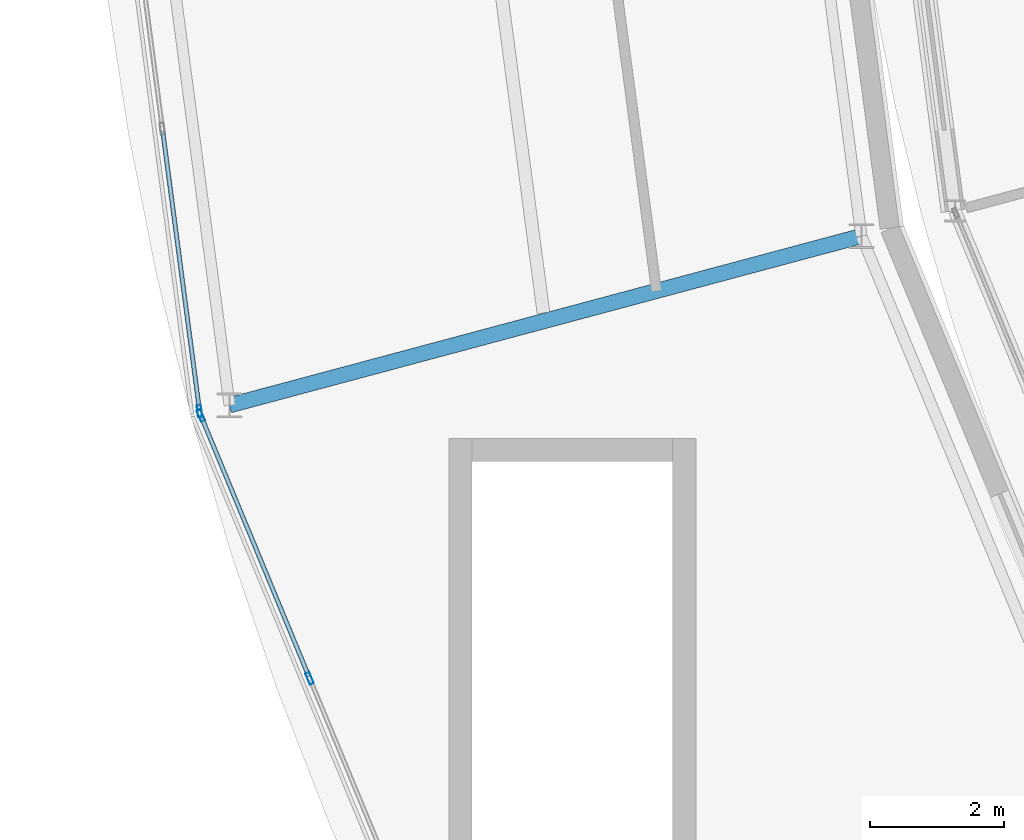
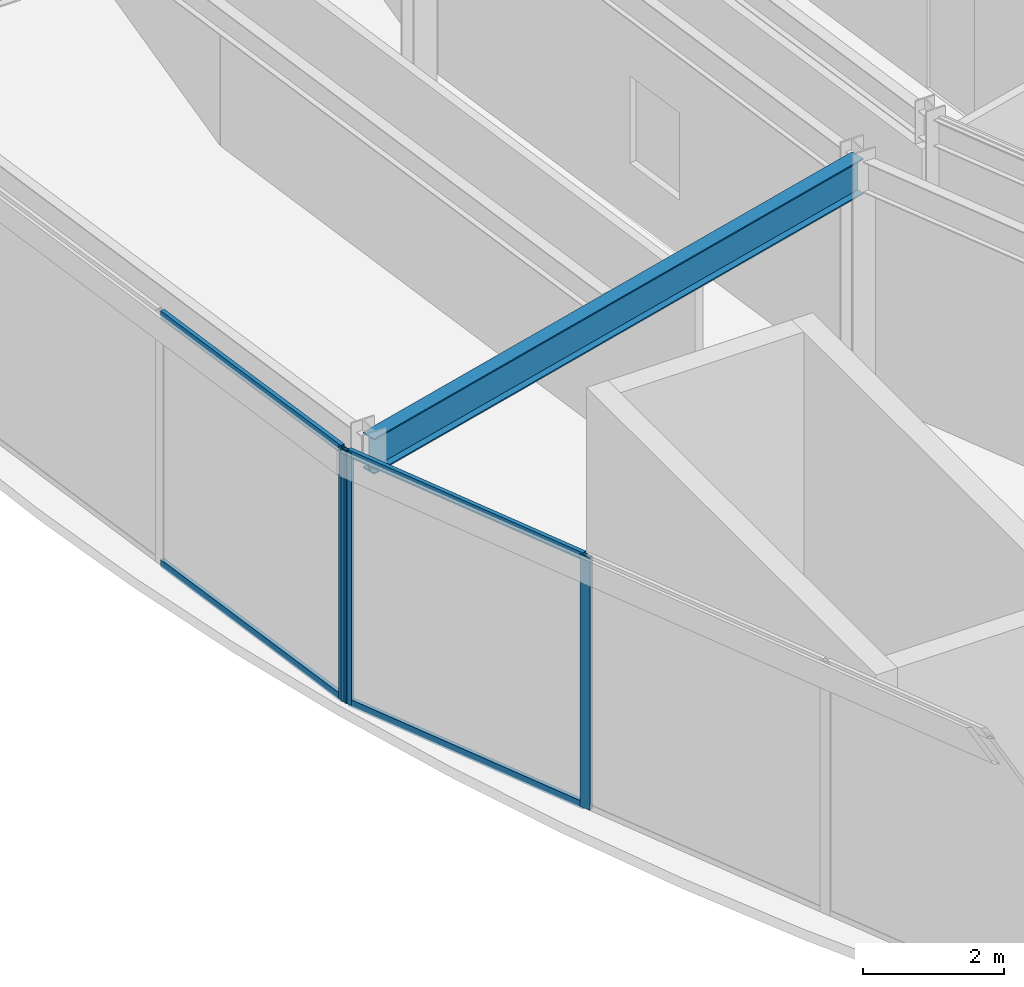
# One storey, part 33 of 157: 7 members, 1 beam, 2 elements without a shape of their own.
"""IFC4 building model written with IfcOpenShell, lengths in metres."""

from ifc_helpers import new_model, si_unit, direction, frame, origin, origin_2d, place, context, subcontext, project, spatial, hollow_rectangle, i_section, extrude, material, material_profile, profile_set, type_object, element, aggregate, save


model = new_model("IFC4")

# Units and contexts
model_context = context("Model", 3, precision=1e-05, world=origin(), true_north=direction((0.0, 1.0)))
body_context = subcontext(model_context, "Body", "Model", "MODEL_VIEW")
ifc_project = project(units=[si_unit("LENGTHUNIT", "METRE"), si_unit("AREAUNIT", "SQUARE_METRE"), si_unit("VOLUMEUNIT", "CUBIC_METRE"), si_unit("PLANEANGLEUNIT", "RADIAN"), si_unit("MASSUNIT", "GRAM", prefix="KILO")], contexts=[model_context])

# Site, building, storey
site_placement = place(None, origin())
site = spatial("IfcSite", under=ifc_project, at=site_placement, CompositionType="ELEMENT")
building_placement = place(site_placement, origin())
building = spatial("IfcBuilding", under=site, at=building_placement, Name="Almandine Court Research Institute", CompositionType="ELEMENT")
storey_placement = place(building_placement, frame((0.0, 0.0, 5.25)))
storey = spatial("IfcBuildingStorey", under=building, at=storey_placement, Name="L01", CompositionType="ELEMENT", Elevation=5.25)

# Beam
ifc_material_1 = material(Name="Steel ASTM A992 Grade 50", Category="steel")
ifc_material_profile_1 = material_profile(ifc_material_1, i_section(OverallWidth=0.22998046875, OverallDepth=0.616943359375, WebThickness=0.012939453125, FlangeThickness=0.02197265625, at=origin_2d()), Name="W610x140")
ifc_profile_set_1 = profile_set([ifc_material_profile_1], Name="Steel ASTM A992 Grade 50")
beam_type = type_object("IfcBeamType", Name="Beam-G-02", PredefinedType="BEAM", material=ifc_profile_set_1)
beam_placement = place(storey_placement, frame((49.23193359375, 45.8798828125, 4.06103515625), z_axis=(-0.965937821551, -0.258774274024, 0.0), x_axis=(0.258774274024, -0.965937821551, 0.0)))
element("IfcBeam", 1, at=beam_placement, inside=storey, type_object=beam_type, Name="L01 Drum Radial Girder 13", PredefinedType="BEAM", context=body_context, shape_type="SweptSolid", body=[
    extrude(i_section(OverallWidth=0.22998046875, OverallDepth=0.616943359375, WebThickness=0.012939453125, FlangeThickness=0.02197265625, at=origin_2d()), origin(), (0.0, 0.0, 1.0), 9.799560546875),
])

# Curtain wall, member
ifc_material_2 = material(Name="Unitised Curtain Wall Framing and Solar Glazing", Category="glass")
curtain_wall_type = type_object("IfcCurtainWallType", Name="CW-CWJ-19", PredefinedType="USERDEFINED", material=ifc_material_2)
curtain_wall_1_placement = place(storey_placement, origin())
curtain_wall_1 = element("IfcCurtainWall", 2, at=curtain_wall_1_placement, inside=storey, type_object=curtain_wall_type, Name="L01 Stacked-Ring Drum Outer Solar Jali Screen 12", ObjectType="SOLAR JALI SCREEN", PredefinedType="USERDEFINED")
ifc_material_3 = material(Name="Anodised Aluminium AW-6063-T6", Category="aluminium")
ifc_material_profile_2 = material_profile(ifc_material_3, hollow_rectangle(XDim=0.06494140625, YDim=0.179931640625, WallThickness=0.00390625, at=origin_2d()), Name="ALU RHS 65x180x4")
ifc_profile_set_2 = profile_set([ifc_material_profile_2], Name="Anodised Aluminium AW-6063-T6")
member_type_1 = type_object("IfcMemberType", Name="CWMul-65x180", PredefinedType="MULLION", material=ifc_profile_set_2)
member_1_placement = place(storey_placement, frame((39.316650390625, 43.26123046875, 0.0), z_axis=(0.0, 0.0, 1.0), x_axis=(-0.991442926098, -0.130540891259, 0.0)))
member_1 = element("IfcMember", 3, at=member_1_placement, type_object=member_type_1, Name="CWJ-19 mullion 1", PredefinedType="MULLION", context=body_context, shape_type="SweptSolid", body=[
    extrude(hollow_rectangle(XDim=0.06494140625, YDim=0.179931640625, WallThickness=0.00390625, at=origin_2d()), origin(), (0.0, 0.0, 1.0), 4.3701171875),
])

# Curtain wall, members
curtain_wall_2_placement = place(storey_placement, origin())
curtain_wall_2 = element("IfcCurtainWall", 4, at=curtain_wall_2_placement, inside=storey, type_object=curtain_wall_type, Name="L01 Stacked-Ring Drum Outer Solar Jali Screen 13", ObjectType="SOLAR JALI SCREEN", PredefinedType="USERDEFINED")
member_2_placement = place(storey_placement, frame((40.965576171875, 39.2548828125, 0.0), z_axis=(0.0, 0.0, 1.0), x_axis=(-0.923888124321, -0.382662689242, 0.0)))
member_2 = element("IfcMember", 5, at=member_2_placement, type_object=member_type_1, Name="CWJ-19 mullion 3", PredefinedType="MULLION", context=body_context, shape_type="SweptSolid", body=[
    extrude(hollow_rectangle(XDim=0.06494140625, YDim=0.179931640625, WallThickness=0.00390625, at=origin_2d()), origin(), (0.0, 0.0, 1.0), 4.3701171875),
])
member_3_placement = place(storey_placement, frame((39.33544921875, 43.19091796875, 0.0), z_axis=(0.0, 0.0, 1.0), x_axis=(-0.923888124321, -0.382662689242, 0.0)))
member_3 = element("IfcMember", 6, at=member_3_placement, type_object=member_type_1, Name="CWJ-19 mullion 4", PredefinedType="MULLION", context=body_context, shape_type="SweptSolid", body=[
    extrude(hollow_rectangle(XDim=0.06494140625, YDim=0.179931640625, WallThickness=0.00390625, at=origin_2d()), origin(), (0.0, 0.0, 1.0), 4.3701171875),
])

# Member
ifc_material_profile_3 = material_profile(ifc_material_3, hollow_rectangle(XDim=0.06494140625, YDim=0.1298828125, WallThickness=0.00390625, at=origin_2d()), Name="ALU RHS 65x130x4")
ifc_profile_set_3 = profile_set([ifc_material_profile_3], Name="Anodised Aluminium AW-6063-T6")
member_type_2 = type_object("IfcMemberType", Name="CWTrn-65x130", PredefinedType="NOTDEFINED", material=ifc_profile_set_3)
member_4_placement = place(storey_placement, frame((39.3125, 43.29345703125, 0.032470703125), z_axis=(-0.130543337873, 0.991442603955, 0.0), x_axis=(-0.991442603955, -0.130543337873, 0.0)))
member_4 = element("IfcMember", 7, at=member_4_placement, type_object=member_type_2, Name="CWJ-19 transom 1.1", ObjectType="TRANSOM", PredefinedType="USERDEFINED", context=body_context, shape_type="SweptSolid", body=[
    extrude(hollow_rectangle(XDim=0.06494140625, YDim=0.1298828125, WallThickness=0.00390625, at=origin_2d()), origin(), (0.0, 0.0, 1.0), 4.19482421875),
])

member_5_placement = place(storey_placement, frame((39.3125, 43.29345703125, 4.33740234375), z_axis=(-0.130543337873, 0.991442603955, 0.0), x_axis=(-0.991442603955, -0.130543337873, 0.0)))
member_5 = element("IfcMember", 8, at=member_5_placement, type_object=member_type_2, Name="CWJ-19 transom 1.2", ObjectType="TRANSOM", PredefinedType="USERDEFINED", context=body_context, shape_type="SweptSolid", body=[
    extrude(hollow_rectangle(XDim=0.06494140625, YDim=0.1298828125, WallThickness=0.00390625, at=origin_2d()), origin(), (0.0, 0.0, 1.0), 4.19482421875),
])

aggregate(curtain_wall_1, [member_1, member_4, member_5])

member_6_placement = place(storey_placement, frame((40.953125, 39.284912109375, 0.032470703125), z_axis=(-0.382631051398, 0.923901227679, 0.0), x_axis=(-0.923901227679, -0.382631051398, 0.0)))
member_6 = element("IfcMember", 9, at=member_6_placement, type_object=member_type_2, Name="CWJ-19 transom 3.1", ObjectType="TRANSOM", PredefinedType="USERDEFINED", context=body_context, shape_type="SweptSolid", body=[
    extrude(hollow_rectangle(XDim=0.06494140625, YDim=0.1298828125, WallThickness=0.00390625, at=origin_2d()), origin(), (0.0, 0.0, 1.0), 4.1953125),
])

member_7_placement = place(storey_placement, frame((40.953125, 39.284912109375, 4.33740234375), z_axis=(-0.382631051398, 0.923901227679, 0.0), x_axis=(-0.923901227679, -0.382631051398, 0.0)))
member_7 = element("IfcMember", 10, at=member_7_placement, type_object=member_type_2, Name="CWJ-19 transom 3.2", ObjectType="TRANSOM", PredefinedType="USERDEFINED", context=body_context, shape_type="SweptSolid", body=[
    extrude(hollow_rectangle(XDim=0.06494140625, YDim=0.1298828125, WallThickness=0.00390625, at=origin_2d()), origin(), (0.0, 0.0, 1.0), 4.1953125),
])

aggregate(curtain_wall_2, [member_2, member_3, member_6, member_7])

save(model, "model.ifc")
